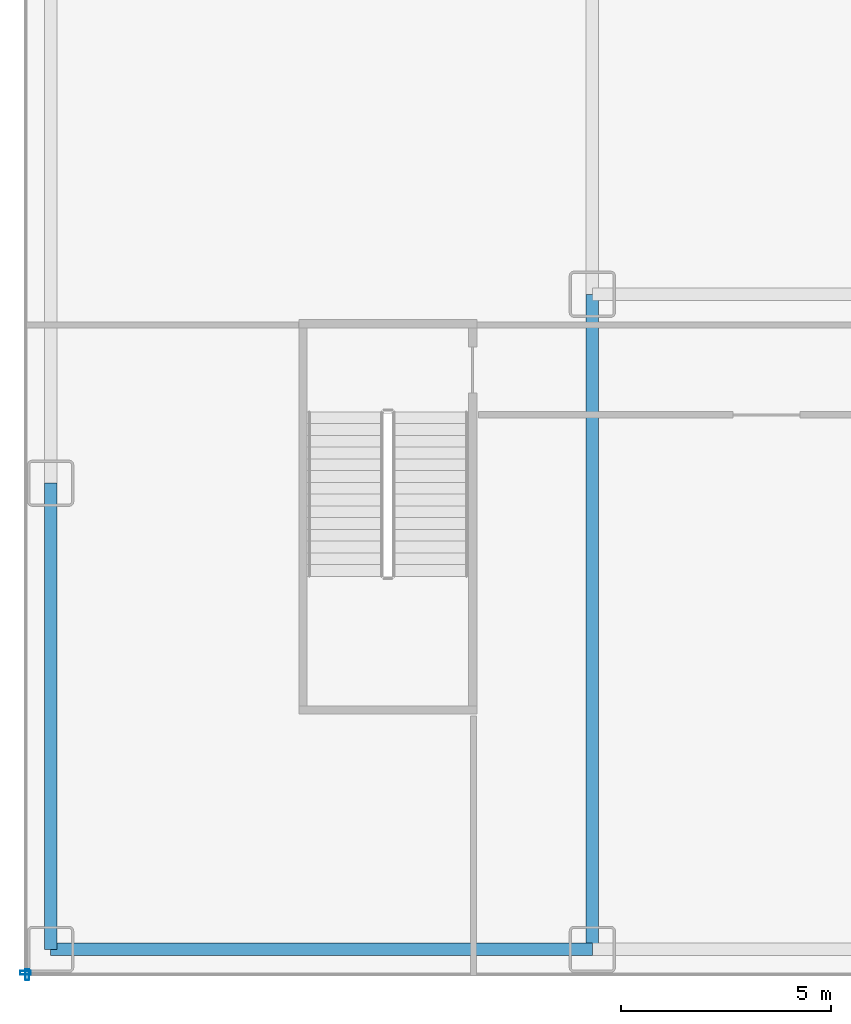
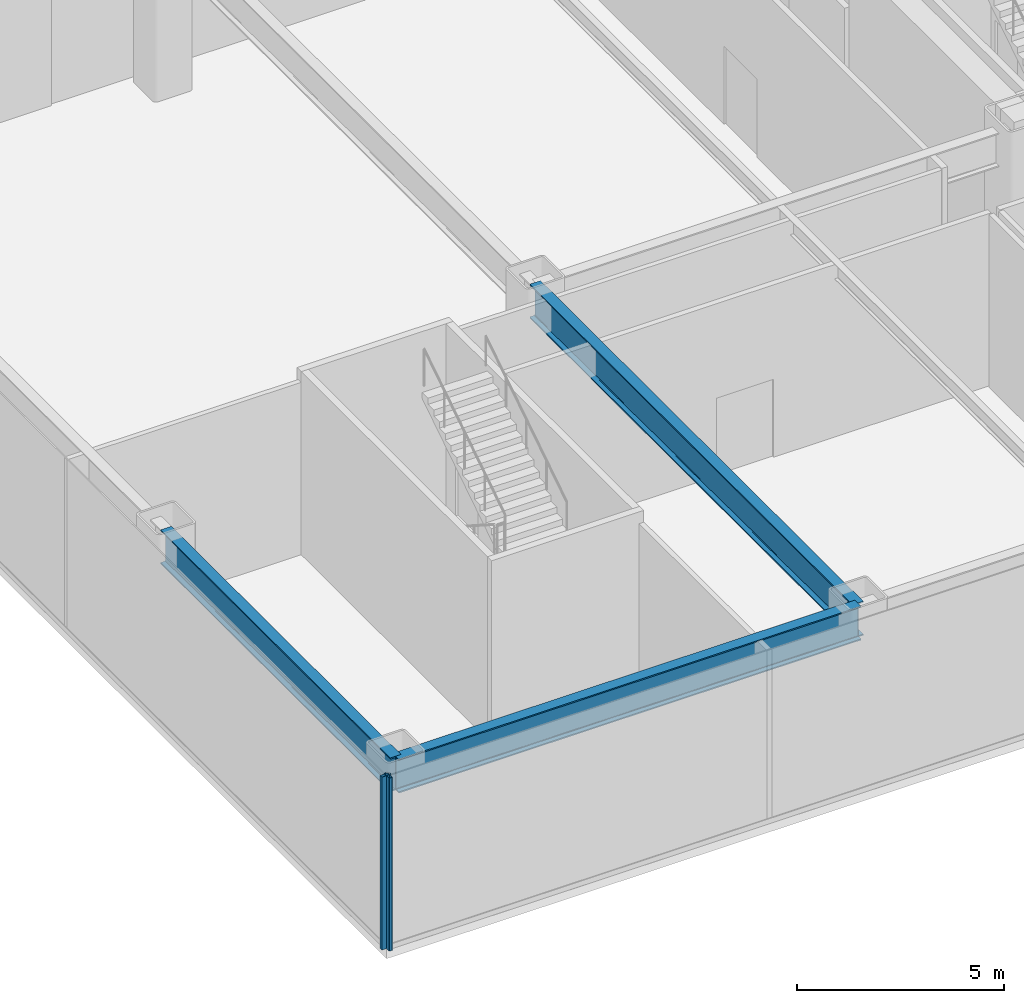
# One storey, part 2 of 24: 3 beams, 2 members, 2 elements without a shape of their own.
"""IFC4 building model written with IfcOpenShell, lengths in metres."""

from ifc_helpers import new_model, si_unit, direction, frame, origin, origin_2d, place, context, subcontext, project, spatial, hollow_rectangle, i_section, extrude, source, transform, mapped, material, layer, layer_set, material_profile, profile_set, type_object, element, aggregate, save


model = new_model("IFC4")

# Units and contexts
model_context = context("Model", 3, precision=1e-05, world=origin(), true_north=direction((0.0, 1.0)))
body_context = subcontext(model_context, "Body", "Model", "MODEL_VIEW")
ifc_project = project(units=[si_unit("LENGTHUNIT", "METRE"), si_unit("AREAUNIT", "SQUARE_METRE"), si_unit("VOLUMEUNIT", "CUBIC_METRE"), si_unit("PLANEANGLEUNIT", "RADIAN"), si_unit("MASSUNIT", "GRAM", prefix="KILO")], contexts=[model_context])

# Site, building, storey
site_placement = place(None, origin())
site = spatial("IfcSite", under=ifc_project, at=site_placement, CompositionType="ELEMENT")
building_placement = place(site_placement, origin())
building = spatial("IfcBuilding", under=site, at=building_placement, Name="Nefas-Gora Pilgrimage Tower", CompositionType="ELEMENT")
storey_placement = place(building_placement, frame((0.0, 0.0, 6.0)))
storey = spatial("IfcBuildingStorey", under=building, at=storey_placement, Name="L01", CompositionType="ELEMENT", Elevation=6.0)

# Beams
ifc_material_1 = material(Name="Steel S460", Category="steel")
ifc_material_profile_1 = material_profile(ifc_material_1, i_section(OverallWidth=0.300048828125, OverallDepth=1.0, WebThickness=0.01904296875, FlangeThickness=0.035888671875, FilletRadius=0.030029296875, at=origin_2d()), Name="HEB 1000")
ifc_profile_set_1 = profile_set([ifc_material_profile_1], Name="Steel S460")
beam_type_1 = type_object("IfcBeamType", Name="BM-POD-HEB1000E", PredefinedType="BEAM", material=ifc_profile_set_1)
shared_shape_1 = source(origin(), body_context, "Body", "SweptSolid", [
    extrude(i_section(OverallWidth=0.300048828125, OverallDepth=1.0, WebThickness=0.01904296875, FlangeThickness=0.035888671875, FilletRadius=0.030029296875, at=origin_2d()), origin(), (0.0, 0.0, 1.0), 12.89990234375),
])
beam_1_placement = place(storey_placement, frame((-37.64990234375, -24.60009765625, 4.60009765625), z_axis=(1.0, 0.0, 0.0), x_axis=(0.0, 1.0, 0.0)))
element("IfcBeam", 1, at=beam_1_placement, inside=storey, type_object=beam_type_1, Name="L01 PG-01E beam", PredefinedType="BEAM", context=body_context, shape_type="MappedRepresentation", body=[
    mapped(shared_shape_1, transform((0.0, 0.0, 0.0), x_axis=(1.0, 0.0, 0.0), y_axis=(0.0, 1.0, 0.0), z_axis=(0.0, 0.0, 1.0), scale=1.0)),
])
shared_shape_2 = source(origin(), body_context, "Body", "SweptSolid", [
    extrude(i_section(OverallWidth=0.300048828125, OverallDepth=1.0, WebThickness=0.01904296875, FlangeThickness=0.035888671875, FilletRadius=0.030029296875, at=origin_2d()), origin(), (0.0, 0.0, 1.0), 11.10009765625),
])
beam_2_placement = place(storey_placement, frame((-37.64990234375, -24.60009765625, 4.60009765625), z_axis=(0.0, 1.0, 0.0), x_axis=(-1.0, 0.0, 0.0)))
element("IfcBeam", 2, at=beam_2_placement, inside=storey, type_object=beam_type_1, Name="L01 PG-01E beam", PredefinedType="BEAM", context=body_context, shape_type="MappedRepresentation", body=[
    mapped(shared_shape_2, transform((0.0, 0.0, 0.0), x_axis=(1.0, 0.0, 0.0), y_axis=(0.0, 1.0, 0.0), z_axis=(0.0, 0.0, 1.0), scale=1.0)),
])
ifc_material_profile_2 = material_profile(ifc_material_1, i_section(OverallWidth=0.300048828125, OverallDepth=1.0, WebThickness=0.01904296875, FlangeThickness=0.035888671875, FilletRadius=0.030029296875, at=origin_2d()), Name="HEB 1000")
ifc_profile_set_2 = profile_set([ifc_material_profile_2], Name="Steel S460")
beam_type_2 = type_object("IfcBeamType", Name="BM-POD-HEB1000", PredefinedType="BEAM", material=ifc_profile_set_2)
shared_shape_3 = source(origin(), body_context, "Body", "SweptSolid", [
    extrude(i_section(OverallWidth=0.300048828125, OverallDepth=1.0, WebThickness=0.01904296875, FlangeThickness=0.035888671875, FilletRadius=0.030029296875, at=origin_2d()), origin(), (0.0, 0.0, 1.0), 15.60009765625),
])
beam_3_placement = place(storey_placement, frame((-24.75, -24.60009765625, 4.60009765625), z_axis=(0.0, 1.0, 0.0), x_axis=(-1.0, 0.0, 0.0)))
element("IfcBeam", 3, at=beam_3_placement, inside=storey, type_object=beam_type_2, Name="L01 PG-01 beam", PredefinedType="BEAM", context=body_context, shape_type="MappedRepresentation", body=[
    mapped(shared_shape_3, transform((0.0, 0.0, 0.0), x_axis=(1.0, 0.0, 0.0), y_axis=(0.0, 1.0, 0.0), z_axis=(0.0, 0.0, 1.0), scale=1.0)),
])

# Curtain wall, member
ifc_material_2 = material(Name="Dark ceramic-fritted solar-control aluminium-glass curtain wall", Category="aluminium")
ifc_layer = layer(ifc_material_2, 0.219970703125)
ifc_layer_set = layer_set([ifc_layer], Name="Dark ceramic-fritted solar-control aluminium-glass curtain wall")
curtain_wall_type = type_object("IfcCurtainWallType", Name="CW-SYS-1", PredefinedType="NOTDEFINED", material=ifc_layer_set)
curtain_wall_1_placement = place(storey_placement, origin())
curtain_wall_1 = element("IfcCurtainWall", 4, at=curtain_wall_1_placement, inside=storey, type_object=curtain_wall_type, Name="L01 Unitised Curtain Wall CW1", PredefinedType="NOTDEFINED")
ifc_material_3 = material(Name="Anodised architectural aluminium", Category="aluminium")
ifc_material_profile_3 = material_profile(ifc_material_3, hollow_rectangle(XDim=0.090087890625, YDim=0.260009765625, WallThickness=0.006103515625, InnerFilletRadius=0.006103515625, OuterFilletRadius=0.011962890625, at=origin_2d()), Name="ALU MULLION 90x260")
ifc_profile_set_3 = profile_set([ifc_material_profile_3], Name="Anodised architectural aluminium")
member_type = type_object("IfcMemberType", Name="CWM-MUL-1", PredefinedType="MULLION", material=ifc_profile_set_3)
shared_shape_4 = source(origin(), body_context, "Body", "SweptSolid", [
    extrude(hollow_rectangle(XDim=0.090087890625, YDim=0.260009765625, WallThickness=0.006103515625, InnerFilletRadius=0.006103515625, OuterFilletRadius=0.011962890625, at=origin_2d()), origin(), (0.0, 0.0, 1.0), 5.10009765625),
])
member_1_placement = place(storey_placement, frame((-38.25, -25.155029296875, 0.0), z_axis=(0.0, 0.0, 1.0), x_axis=(0.0, -1.0, 0.0)))
member_1 = element("IfcMember", 5, at=member_1_placement, type_object=member_type, Name="CW1 Mullion 3", PredefinedType="MULLION", context=body_context, shape_type="MappedRepresentation", body=[
    mapped(shared_shape_4, transform((0.0, 0.0, 0.0), x_axis=(1.0, 0.0, 0.0), y_axis=(0.0, 1.0, 0.0), z_axis=(0.0, 0.0, 1.0), scale=1.0)),
])
aggregate(curtain_wall_1, [member_1])

curtain_wall_2_placement = place(storey_placement, origin())
curtain_wall_2 = element("IfcCurtainWall", 6, at=curtain_wall_2_placement, inside=storey, type_object=curtain_wall_type, Name="L01 Unitised Curtain Wall CW1", PredefinedType="NOTDEFINED")
member_2_placement = place(storey_placement, frame((-38.205078125, -25.199951171875, 0.0), z_axis=(0.0, 0.0, 1.0), x_axis=(1.0, 0.0, 0.0)))
member_2 = element("IfcMember", 7, at=member_2_placement, type_object=member_type, Name="CW1 Mullion 1", PredefinedType="MULLION", context=body_context, shape_type="MappedRepresentation", body=[
    mapped(shared_shape_4, transform((0.0, 0.0, 0.0), x_axis=(1.0, 0.0, 0.0), y_axis=(0.0, 1.0, 0.0), z_axis=(0.0, 0.0, 1.0), scale=1.0)),
])
aggregate(curtain_wall_2, [member_2])

save(model, "model.ifc")
